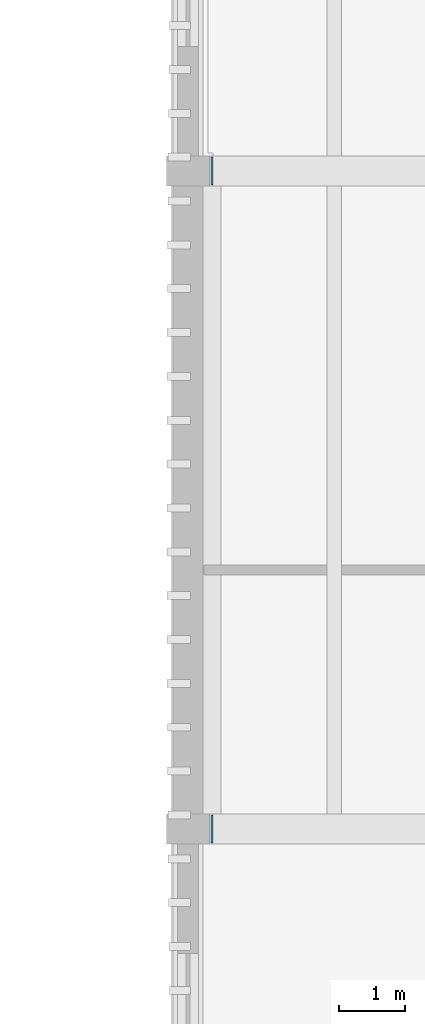
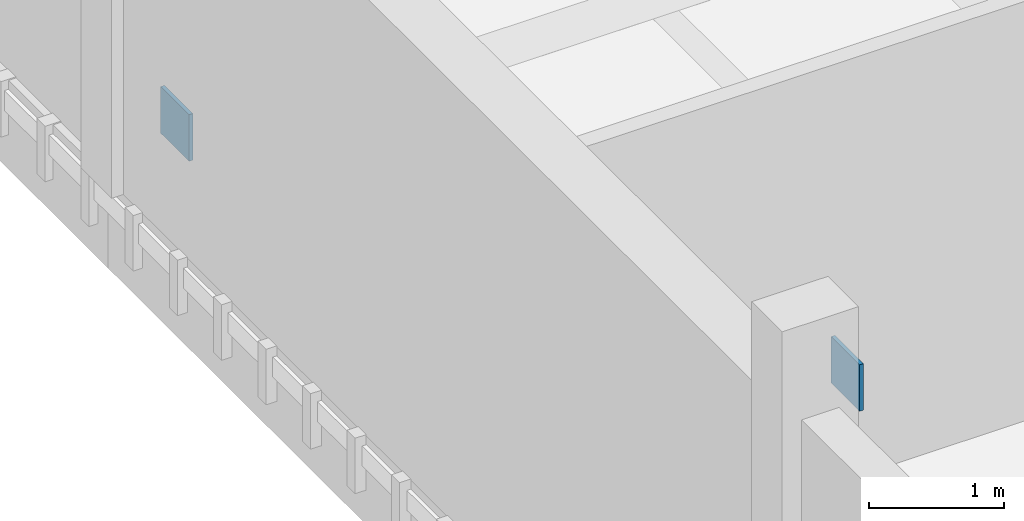
# One storey, part 46 of 76: 2 plates.
"""IFC4 building model written with IfcOpenShell, lengths in metres."""

from ifc_helpers import new_model, si_unit, direction, frame, origin, origin_2d, place, context, subcontext, project, spatial, rectangle, extrude, material, layer, layer_set, type_object, element, save


model = new_model("IFC4")

# Units and contexts
model_context = context("Model", 3, precision=1e-05, world=origin(), true_north=direction((0.0, 1.0)))
body_context = subcontext(model_context, "Body", "Model", "MODEL_VIEW")
ifc_project = project(units=[si_unit("LENGTHUNIT", "METRE"), si_unit("AREAUNIT", "SQUARE_METRE"), si_unit("VOLUMEUNIT", "CUBIC_METRE"), si_unit("PLANEANGLEUNIT", "RADIAN"), si_unit("MASSUNIT", "GRAM", prefix="KILO")], contexts=[model_context])

# Site, building, storey
site_placement = place(None, origin())
site = spatial("IfcSite", under=ifc_project, at=site_placement, CompositionType="ELEMENT")
building_placement = place(site_placement, origin())
building = spatial("IfcBuilding", under=site, at=building_placement, Name="Dornvale Research Institute", CompositionType="ELEMENT")
storey_placement = place(building_placement, frame((0.0, 0.0, 15.0)))
storey = spatial("IfcBuildingStorey", under=building, at=storey_placement, Name="L03", CompositionType="ELEMENT", Elevation=15.0)

# Plates
ifc_material = material(Name="Steel ASTM A572 Grade 50", Category="steel")
ifc_layer = layer(ifc_material, 0.031982421875)
ifc_layer_set = layer_set([ifc_layer], Name="Steel ASTM A572 Grade 50")
plate_type = type_object("IfcPlateType", Name="SheetPlate_Gusset_32", PredefinedType="SHEET", material=ifc_layer_set)
for number, where, z_axis, x_axis, name in (
    (1, (119.159912109375, 112.199951171875, 0.090087890625), (0.0, 0.0, 1.0), (0.0, 1.0, 0.0), "HSS brace node gusset and cap plate ND-045"),
    (2, (119.159912109375, 102.300048828125, 3.840087890625), (0.0, 0.0, 1.0), (0.0, 1.0, 0.0), "HSS brace node gusset and cap plate ND-046"),
):
    element("IfcPlate", number, at=place(storey_placement, frame(where, z_axis=z_axis, x_axis=x_axis)), inside=storey, type_object=plate_type, Name=name, PredefinedType="SHEET", context=body_context, shape_type="SweptSolid", body=[
        extrude(rectangle(XDim=0.419921875, YDim=0.031982421875, at=origin_2d()), origin(), (0.0, 0.0, 1.0), 0.419921875),
    ])

save(model, "model.ifc")
